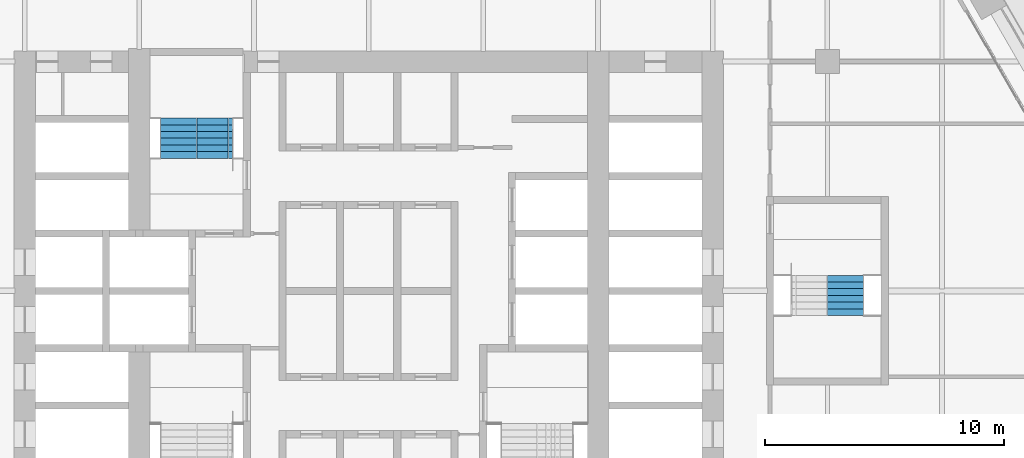
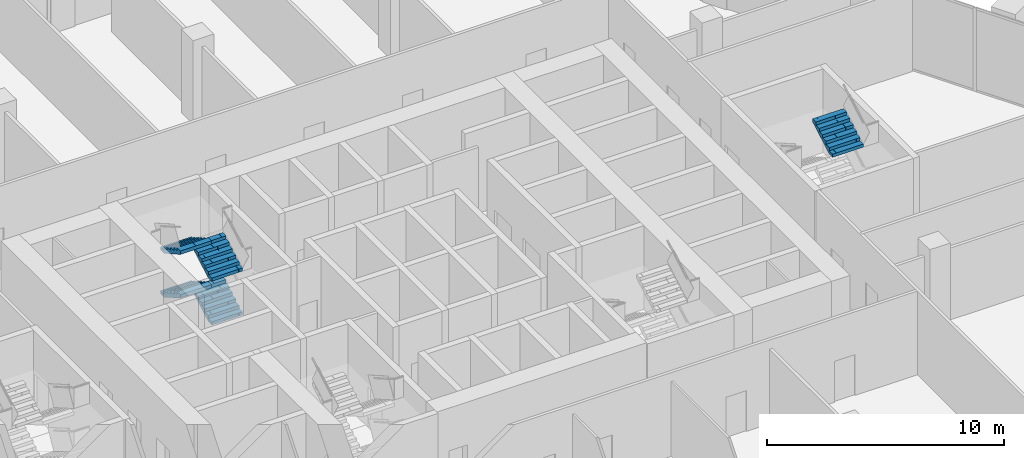
# One storey, part 20 of 22: 5 stair flights, 2 elements without a shape of their own.
"""IFC4 building model written with IfcOpenShell, lengths in metres."""

from ifc_helpers import new_model, si_unit, direction, frame, origin, place, context, subcontext, project, spatial, polyline, outline, extrude, material, type_object, element, aggregate, save


model = new_model("IFC4")

# Units and contexts
model_context = context("Model", 3, precision=1e-05, world=origin(), true_north=direction((0.0, 1.0)))
body_context = subcontext(model_context, "Body", "Model", "MODEL_VIEW")
ifc_project = project(units=[si_unit("LENGTHUNIT", "METRE"), si_unit("AREAUNIT", "SQUARE_METRE"), si_unit("VOLUMEUNIT", "CUBIC_METRE"), si_unit("PLANEANGLEUNIT", "RADIAN"), si_unit("MASSUNIT", "GRAM", prefix="KILO")], contexts=[model_context])

# Site, building, storey
site_placement = place(None, origin())
site = spatial("IfcSite", under=ifc_project, at=site_placement, CompositionType="ELEMENT")
building_placement = place(site_placement, origin())
building = spatial("IfcBuilding", under=site, at=building_placement, Name="Kolab Exchange Tower", CompositionType="ELEMENT")
storey_placement = place(building_placement, frame((0.0, 0.0, 113.89990234375)))
storey = spatial("IfcBuildingStorey", under=building, at=storey_placement, Name="L22", CompositionType="ELEMENT", Elevation=113.89990234375)

# Stair, stair flights
ifc_material = material(Name="Concrete C50/60", Category="concrete")
stair_type_1 = type_object("IfcStairType", Name="STAIR ST1 RISER 160.7", PredefinedType="DOUBLE_RETURN_STAIR", material=ifc_material)
stair_1_placement = place(storey_placement, origin())
stair_1 = element("IfcStair", 1, at=stair_1_placement, inside=storey, type_object=stair_type_1, Name="Stair 1", PredefinedType="DOUBLE_RETURN_STAIR")
stair_flight_type = type_object("IfcStairFlightType", Name="STAIR FLIGHT 1500 RISER 160.7", PredefinedType="STRAIGHT", material=ifc_material)
stair_flight_1_placement = place(storey_placement, frame((-6.43994140625, 5.550048828125, 0.0), z_axis=(0.0, 0.0, 1.0), x_axis=(0.0, 1.0, 0.0)))
stair_flight_1 = element("IfcStairFlight", 2, at=stair_flight_1_placement, type_object=stair_flight_type, Name="ST1 flight 1", NumberOfRisers=7, NumberOfTreads=6, PredefinedType="STRAIGHT", RiserHeight=0.160714286, TreadLength=0.28, context=body_context, shape_type="SweptSolid", body=[
    extrude(outline(polyline([(0.0, 0.0), (0.0, 0.16064453125), (0.280029296875, 0.16064453125), (0.280029296875, 0.321533203125), (0.56005859375, 0.321533203125), (0.56005859375, 0.482177734375), (0.840087890625, 0.482177734375), (0.840087890625, 0.642822265625), (1.1201171875, 0.642822265625), (1.1201171875, 0.803466796875), (1.39990234375, 0.803466796875), (1.39990234375, 0.96435546875), (1.679931640625, 0.96435546875), (1.679931640625, 1.125), (1.679931640625, 0.79150390625), (0.301025390625, 0.0), (0.0, 0.0)])), frame((0.0, 0.75, 0.0), z_axis=(0.0, -1.0, 0.0), x_axis=(1.0, 0.0, 0.0)), (0.0, 0.0, 1.0), 0.185791015625),
    extrude(outline(polyline([(0.0, 0.0), (0.0, 0.16064453125), (0.280029296875, 0.16064453125), (0.280029296875, 0.321533203125), (0.56005859375, 0.321533203125), (0.56005859375, 0.482177734375), (0.840087890625, 0.482177734375), (0.840087890625, 0.642822265625), (1.1201171875, 0.642822265625), (1.1201171875, 0.803466796875), (1.39990234375, 0.803466796875), (1.39990234375, 0.96435546875), (1.679931640625, 0.96435546875), (1.679931640625, 1.125), (1.679931640625, 0.79150390625), (0.301025390625, 0.0), (0.0, 0.0)])), frame((0.0, 0.562255859375, 0.0), z_axis=(0.0, -1.0, 0.0), x_axis=(1.0, 0.0, 0.0)), (0.0, 0.0, 1.0), 0.185791015625),
    extrude(outline(polyline([(0.0, 0.0), (0.0, 0.16064453125), (0.280029296875, 0.16064453125), (0.280029296875, 0.321533203125), (0.56005859375, 0.321533203125), (0.56005859375, 0.482177734375), (0.840087890625, 0.482177734375), (0.840087890625, 0.642822265625), (1.1201171875, 0.642822265625), (1.1201171875, 0.803466796875), (1.39990234375, 0.803466796875), (1.39990234375, 0.96435546875), (1.679931640625, 0.96435546875), (1.679931640625, 1.125), (1.679931640625, 0.79150390625), (0.301025390625, 0.0), (0.0, 0.0)])), frame((0.0, 0.37451171875, 0.0), z_axis=(0.0, -1.0, 0.0), x_axis=(1.0, 0.0, 0.0)), (0.0, 0.0, 1.0), 0.185791015625),
    extrude(outline(polyline([(0.0, 0.0), (0.0, 0.16064453125), (0.280029296875, 0.16064453125), (0.280029296875, 0.321533203125), (0.56005859375, 0.321533203125), (0.56005859375, 0.482177734375), (0.840087890625, 0.482177734375), (0.840087890625, 0.642822265625), (1.1201171875, 0.642822265625), (1.1201171875, 0.803466796875), (1.39990234375, 0.803466796875), (1.39990234375, 0.96435546875), (1.679931640625, 0.96435546875), (1.679931640625, 1.125), (1.679931640625, 0.79150390625), (0.301025390625, 0.0), (0.0, 0.0)])), frame((0.0, 0.186767578125, 0.0), z_axis=(0.0, -1.0, 0.0), x_axis=(1.0, 0.0, 0.0)), (0.0, 0.0, 1.0), 0.185791015625),
    extrude(outline(polyline([(0.0, 0.0), (0.0, 0.16064453125), (0.280029296875, 0.16064453125), (0.280029296875, 0.321533203125), (0.56005859375, 0.321533203125), (0.56005859375, 0.482177734375), (0.840087890625, 0.482177734375), (0.840087890625, 0.642822265625), (1.1201171875, 0.642822265625), (1.1201171875, 0.803466796875), (1.39990234375, 0.803466796875), (1.39990234375, 0.96435546875), (1.679931640625, 0.96435546875), (1.679931640625, 1.125), (1.679931640625, 0.79150390625), (0.301025390625, 0.0), (0.0, 0.0)])), frame((0.0, -0.0009765625, 0.0), z_axis=(0.0, -1.0, 0.0), x_axis=(1.0, 0.0, 0.0)), (0.0, 0.0, 1.0), 0.185791015625),
    extrude(outline(polyline([(0.0, 0.0), (0.0, 0.16064453125), (0.280029296875, 0.16064453125), (0.280029296875, 0.321533203125), (0.56005859375, 0.321533203125), (0.56005859375, 0.482177734375), (0.840087890625, 0.482177734375), (0.840087890625, 0.642822265625), (1.1201171875, 0.642822265625), (1.1201171875, 0.803466796875), (1.39990234375, 0.803466796875), (1.39990234375, 0.96435546875), (1.679931640625, 0.96435546875), (1.679931640625, 1.125), (1.679931640625, 0.79150390625), (0.301025390625, 0.0), (0.0, 0.0)])), frame((0.0, -0.188720703125, 0.0), z_axis=(0.0, -1.0, 0.0), x_axis=(1.0, 0.0, 0.0)), (0.0, 0.0, 1.0), 0.185791015625),
    extrude(outline(polyline([(0.0, 0.0), (0.0, 0.16064453125), (0.280029296875, 0.16064453125), (0.280029296875, 0.321533203125), (0.56005859375, 0.321533203125), (0.56005859375, 0.482177734375), (0.840087890625, 0.482177734375), (0.840087890625, 0.642822265625), (1.1201171875, 0.642822265625), (1.1201171875, 0.803466796875), (1.39990234375, 0.803466796875), (1.39990234375, 0.96435546875), (1.679931640625, 0.96435546875), (1.679931640625, 1.125), (1.679931640625, 0.79150390625), (0.301025390625, 0.0), (0.0, 0.0)])), frame((0.0, -0.37646484375, 0.0), z_axis=(0.0, -1.0, 0.0), x_axis=(1.0, 0.0, 0.0)), (0.0, 0.0, 1.0), 0.185791015625),
    extrude(outline(polyline([(0.0, 0.0), (0.0, 0.16064453125), (0.280029296875, 0.16064453125), (0.280029296875, 0.321533203125), (0.56005859375, 0.321533203125), (0.56005859375, 0.482177734375), (0.840087890625, 0.482177734375), (0.840087890625, 0.642822265625), (1.1201171875, 0.642822265625), (1.1201171875, 0.803466796875), (1.39990234375, 0.803466796875), (1.39990234375, 0.96435546875), (1.679931640625, 0.96435546875), (1.679931640625, 1.125), (1.679931640625, 0.79150390625), (0.301025390625, 0.0), (0.0, 0.0)])), frame((0.0, -0.564208984375, 0.0), z_axis=(0.0, -1.0, 0.0), x_axis=(1.0, 0.0, 0.0)), (0.0, 0.0, 1.0), 0.185791015625),
])
stair_flight_2_placement = place(storey_placement, frame((-7.9599609375, 7.22998046875, 1.125), z_axis=(0.0, 0.0, 1.0), x_axis=(0.0, -1.0, 0.0)))
stair_flight_2 = element("IfcStairFlight", 3, at=stair_flight_2_placement, type_object=stair_flight_type, Name="ST1 flight 2", NumberOfRisers=7, NumberOfTreads=6, PredefinedType="STRAIGHT", RiserHeight=0.160714286, TreadLength=0.28, context=body_context, shape_type="SweptSolid", body=[
    extrude(outline(polyline([(0.0, 0.0), (0.0, 0.16064453125), (0.280029296875, 0.16064453125), (0.280029296875, 0.321533203125), (0.56005859375, 0.321533203125), (0.56005859375, 0.482177734375), (0.840087890625, 0.482177734375), (0.840087890625, 0.642822265625), (1.1201171875, 0.642822265625), (1.1201171875, 0.803466796875), (1.39990234375, 0.803466796875), (1.39990234375, 0.96435546875), (1.679931640625, 0.96435546875), (1.679931640625, 1.125), (1.679931640625, 0.79150390625), (0.301025390625, 0.0), (0.0, 0.0)])), frame((0.0, 0.75, 0.0), z_axis=(0.0, -1.0, 0.0), x_axis=(1.0, 0.0, 0.0)), (0.0, 0.0, 1.0), 0.185791015625),
    extrude(outline(polyline([(0.0, 0.0), (0.0, 0.16064453125), (0.280029296875, 0.16064453125), (0.280029296875, 0.321533203125), (0.56005859375, 0.321533203125), (0.56005859375, 0.482177734375), (0.840087890625, 0.482177734375), (0.840087890625, 0.642822265625), (1.1201171875, 0.642822265625), (1.1201171875, 0.803466796875), (1.39990234375, 0.803466796875), (1.39990234375, 0.96435546875), (1.679931640625, 0.96435546875), (1.679931640625, 1.125), (1.679931640625, 0.79150390625), (0.301025390625, 0.0), (0.0, 0.0)])), frame((0.0, 0.562255859375, 0.0), z_axis=(0.0, -1.0, 0.0), x_axis=(1.0, 0.0, 0.0)), (0.0, 0.0, 1.0), 0.185791015625),
    extrude(outline(polyline([(0.0, 0.0), (0.0, 0.16064453125), (0.280029296875, 0.16064453125), (0.280029296875, 0.321533203125), (0.56005859375, 0.321533203125), (0.56005859375, 0.482177734375), (0.840087890625, 0.482177734375), (0.840087890625, 0.642822265625), (1.1201171875, 0.642822265625), (1.1201171875, 0.803466796875), (1.39990234375, 0.803466796875), (1.39990234375, 0.96435546875), (1.679931640625, 0.96435546875), (1.679931640625, 1.125), (1.679931640625, 0.79150390625), (0.301025390625, 0.0), (0.0, 0.0)])), frame((0.0, 0.37451171875, 0.0), z_axis=(0.0, -1.0, 0.0), x_axis=(1.0, 0.0, 0.0)), (0.0, 0.0, 1.0), 0.185791015625),
    extrude(outline(polyline([(0.0, 0.0), (0.0, 0.16064453125), (0.280029296875, 0.16064453125), (0.280029296875, 0.321533203125), (0.56005859375, 0.321533203125), (0.56005859375, 0.482177734375), (0.840087890625, 0.482177734375), (0.840087890625, 0.642822265625), (1.1201171875, 0.642822265625), (1.1201171875, 0.803466796875), (1.39990234375, 0.803466796875), (1.39990234375, 0.96435546875), (1.679931640625, 0.96435546875), (1.679931640625, 1.125), (1.679931640625, 0.79150390625), (0.301025390625, 0.0), (0.0, 0.0)])), frame((0.0, 0.186767578125, 0.0), z_axis=(0.0, -1.0, 0.0), x_axis=(1.0, 0.0, 0.0)), (0.0, 0.0, 1.0), 0.185791015625),
    extrude(outline(polyline([(0.0, 0.0), (0.0, 0.16064453125), (0.280029296875, 0.16064453125), (0.280029296875, 0.321533203125), (0.56005859375, 0.321533203125), (0.56005859375, 0.482177734375), (0.840087890625, 0.482177734375), (0.840087890625, 0.642822265625), (1.1201171875, 0.642822265625), (1.1201171875, 0.803466796875), (1.39990234375, 0.803466796875), (1.39990234375, 0.96435546875), (1.679931640625, 0.96435546875), (1.679931640625, 1.125), (1.679931640625, 0.79150390625), (0.301025390625, 0.0), (0.0, 0.0)])), frame((0.0, -0.0009765625, 0.0), z_axis=(0.0, -1.0, 0.0), x_axis=(1.0, 0.0, 0.0)), (0.0, 0.0, 1.0), 0.185791015625),
    extrude(outline(polyline([(0.0, 0.0), (0.0, 0.16064453125), (0.280029296875, 0.16064453125), (0.280029296875, 0.321533203125), (0.56005859375, 0.321533203125), (0.56005859375, 0.482177734375), (0.840087890625, 0.482177734375), (0.840087890625, 0.642822265625), (1.1201171875, 0.642822265625), (1.1201171875, 0.803466796875), (1.39990234375, 0.803466796875), (1.39990234375, 0.96435546875), (1.679931640625, 0.96435546875), (1.679931640625, 1.125), (1.679931640625, 0.79150390625), (0.301025390625, 0.0), (0.0, 0.0)])), frame((0.0, -0.188720703125, 0.0), z_axis=(0.0, -1.0, 0.0), x_axis=(1.0, 0.0, 0.0)), (0.0, 0.0, 1.0), 0.185791015625),
    extrude(outline(polyline([(0.0, 0.0), (0.0, 0.16064453125), (0.280029296875, 0.16064453125), (0.280029296875, 0.321533203125), (0.56005859375, 0.321533203125), (0.56005859375, 0.482177734375), (0.840087890625, 0.482177734375), (0.840087890625, 0.642822265625), (1.1201171875, 0.642822265625), (1.1201171875, 0.803466796875), (1.39990234375, 0.803466796875), (1.39990234375, 0.96435546875), (1.679931640625, 0.96435546875), (1.679931640625, 1.125), (1.679931640625, 0.79150390625), (0.301025390625, 0.0), (0.0, 0.0)])), frame((0.0, -0.37646484375, 0.0), z_axis=(0.0, -1.0, 0.0), x_axis=(1.0, 0.0, 0.0)), (0.0, 0.0, 1.0), 0.185791015625),
    extrude(outline(polyline([(0.0, 0.0), (0.0, 0.16064453125), (0.280029296875, 0.16064453125), (0.280029296875, 0.321533203125), (0.56005859375, 0.321533203125), (0.56005859375, 0.482177734375), (0.840087890625, 0.482177734375), (0.840087890625, 0.642822265625), (1.1201171875, 0.642822265625), (1.1201171875, 0.803466796875), (1.39990234375, 0.803466796875), (1.39990234375, 0.96435546875), (1.679931640625, 0.96435546875), (1.679931640625, 1.125), (1.679931640625, 0.79150390625), (0.301025390625, 0.0), (0.0, 0.0)])), frame((0.0, -0.564208984375, 0.0), z_axis=(0.0, -1.0, 0.0), x_axis=(1.0, 0.0, 0.0)), (0.0, 0.0, 1.0), 0.185791015625),
])
stair_flight_3_placement = place(storey_placement, frame((-6.43994140625, 5.550048828125, 2.25), z_axis=(0.0, 0.0, 1.0), x_axis=(0.0, 1.0, 0.0)))
stair_flight_3 = element("IfcStairFlight", 4, at=stair_flight_3_placement, type_object=stair_flight_type, Name="ST1 flight 3", NumberOfRisers=7, NumberOfTreads=6, PredefinedType="STRAIGHT", RiserHeight=0.160714286, TreadLength=0.28, context=body_context, shape_type="SweptSolid", body=[
    extrude(outline(polyline([(0.0, 0.0), (0.0, 0.16064453125), (0.280029296875, 0.16064453125), (0.280029296875, 0.321533203125), (0.56005859375, 0.321533203125), (0.56005859375, 0.482177734375), (0.840087890625, 0.482177734375), (0.840087890625, 0.642822265625), (1.1201171875, 0.642822265625), (1.1201171875, 0.803466796875), (1.39990234375, 0.803466796875), (1.39990234375, 0.96435546875), (1.679931640625, 0.96435546875), (1.679931640625, 1.125), (1.679931640625, 0.79150390625), (0.301025390625, 0.0), (0.0, 0.0)])), frame((0.0, 0.75, 0.0), z_axis=(0.0, -1.0, 0.0), x_axis=(1.0, 0.0, 0.0)), (0.0, 0.0, 1.0), 0.185791015625),
    extrude(outline(polyline([(0.0, 0.0), (0.0, 0.16064453125), (0.280029296875, 0.16064453125), (0.280029296875, 0.321533203125), (0.56005859375, 0.321533203125), (0.56005859375, 0.482177734375), (0.840087890625, 0.482177734375), (0.840087890625, 0.642822265625), (1.1201171875, 0.642822265625), (1.1201171875, 0.803466796875), (1.39990234375, 0.803466796875), (1.39990234375, 0.96435546875), (1.679931640625, 0.96435546875), (1.679931640625, 1.125), (1.679931640625, 0.79150390625), (0.301025390625, 0.0), (0.0, 0.0)])), frame((0.0, 0.562255859375, 0.0), z_axis=(0.0, -1.0, 0.0), x_axis=(1.0, 0.0, 0.0)), (0.0, 0.0, 1.0), 0.185791015625),
    extrude(outline(polyline([(0.0, 0.0), (0.0, 0.16064453125), (0.280029296875, 0.16064453125), (0.280029296875, 0.321533203125), (0.56005859375, 0.321533203125), (0.56005859375, 0.482177734375), (0.840087890625, 0.482177734375), (0.840087890625, 0.642822265625), (1.1201171875, 0.642822265625), (1.1201171875, 0.803466796875), (1.39990234375, 0.803466796875), (1.39990234375, 0.96435546875), (1.679931640625, 0.96435546875), (1.679931640625, 1.125), (1.679931640625, 0.79150390625), (0.301025390625, 0.0), (0.0, 0.0)])), frame((0.0, 0.37451171875, 0.0), z_axis=(0.0, -1.0, 0.0), x_axis=(1.0, 0.0, 0.0)), (0.0, 0.0, 1.0), 0.185791015625),
    extrude(outline(polyline([(0.0, 0.0), (0.0, 0.16064453125), (0.280029296875, 0.16064453125), (0.280029296875, 0.321533203125), (0.56005859375, 0.321533203125), (0.56005859375, 0.482177734375), (0.840087890625, 0.482177734375), (0.840087890625, 0.642822265625), (1.1201171875, 0.642822265625), (1.1201171875, 0.803466796875), (1.39990234375, 0.803466796875), (1.39990234375, 0.96435546875), (1.679931640625, 0.96435546875), (1.679931640625, 1.125), (1.679931640625, 0.79150390625), (0.301025390625, 0.0), (0.0, 0.0)])), frame((0.0, 0.186767578125, 0.0), z_axis=(0.0, -1.0, 0.0), x_axis=(1.0, 0.0, 0.0)), (0.0, 0.0, 1.0), 0.185791015625),
    extrude(outline(polyline([(0.0, 0.0), (0.0, 0.16064453125), (0.280029296875, 0.16064453125), (0.280029296875, 0.321533203125), (0.56005859375, 0.321533203125), (0.56005859375, 0.482177734375), (0.840087890625, 0.482177734375), (0.840087890625, 0.642822265625), (1.1201171875, 0.642822265625), (1.1201171875, 0.803466796875), (1.39990234375, 0.803466796875), (1.39990234375, 0.96435546875), (1.679931640625, 0.96435546875), (1.679931640625, 1.125), (1.679931640625, 0.79150390625), (0.301025390625, 0.0), (0.0, 0.0)])), frame((0.0, -0.0009765625, 0.0), z_axis=(0.0, -1.0, 0.0), x_axis=(1.0, 0.0, 0.0)), (0.0, 0.0, 1.0), 0.185791015625),
    extrude(outline(polyline([(0.0, 0.0), (0.0, 0.16064453125), (0.280029296875, 0.16064453125), (0.280029296875, 0.321533203125), (0.56005859375, 0.321533203125), (0.56005859375, 0.482177734375), (0.840087890625, 0.482177734375), (0.840087890625, 0.642822265625), (1.1201171875, 0.642822265625), (1.1201171875, 0.803466796875), (1.39990234375, 0.803466796875), (1.39990234375, 0.96435546875), (1.679931640625, 0.96435546875), (1.679931640625, 1.125), (1.679931640625, 0.79150390625), (0.301025390625, 0.0), (0.0, 0.0)])), frame((0.0, -0.188720703125, 0.0), z_axis=(0.0, -1.0, 0.0), x_axis=(1.0, 0.0, 0.0)), (0.0, 0.0, 1.0), 0.185791015625),
    extrude(outline(polyline([(0.0, 0.0), (0.0, 0.16064453125), (0.280029296875, 0.16064453125), (0.280029296875, 0.321533203125), (0.56005859375, 0.321533203125), (0.56005859375, 0.482177734375), (0.840087890625, 0.482177734375), (0.840087890625, 0.642822265625), (1.1201171875, 0.642822265625), (1.1201171875, 0.803466796875), (1.39990234375, 0.803466796875), (1.39990234375, 0.96435546875), (1.679931640625, 0.96435546875), (1.679931640625, 1.125), (1.679931640625, 0.79150390625), (0.301025390625, 0.0), (0.0, 0.0)])), frame((0.0, -0.37646484375, 0.0), z_axis=(0.0, -1.0, 0.0), x_axis=(1.0, 0.0, 0.0)), (0.0, 0.0, 1.0), 0.185791015625),
    extrude(outline(polyline([(0.0, 0.0), (0.0, 0.16064453125), (0.280029296875, 0.16064453125), (0.280029296875, 0.321533203125), (0.56005859375, 0.321533203125), (0.56005859375, 0.482177734375), (0.840087890625, 0.482177734375), (0.840087890625, 0.642822265625), (1.1201171875, 0.642822265625), (1.1201171875, 0.803466796875), (1.39990234375, 0.803466796875), (1.39990234375, 0.96435546875), (1.679931640625, 0.96435546875), (1.679931640625, 1.125), (1.679931640625, 0.79150390625), (0.301025390625, 0.0), (0.0, 0.0)])), frame((0.0, -0.564208984375, 0.0), z_axis=(0.0, -1.0, 0.0), x_axis=(1.0, 0.0, 0.0)), (0.0, 0.0, 1.0), 0.185791015625),
])
stair_flight_4_placement = place(storey_placement, frame((-7.9599609375, 7.22998046875, 3.375), z_axis=(0.0, 0.0, 1.0), x_axis=(0.0, -1.0, 0.0)))
stair_flight_4 = element("IfcStairFlight", 5, at=stair_flight_4_placement, type_object=stair_flight_type, Name="ST1 flight 4", NumberOfRisers=7, NumberOfTreads=6, PredefinedType="STRAIGHT", RiserHeight=0.160714286, TreadLength=0.28, context=body_context, shape_type="SweptSolid", body=[
    extrude(outline(polyline([(0.0, 0.0), (0.0, 0.16064453125), (0.280029296875, 0.16064453125), (0.280029296875, 0.321533203125), (0.56005859375, 0.321533203125), (0.56005859375, 0.482177734375), (0.840087890625, 0.482177734375), (0.840087890625, 0.642822265625), (1.1201171875, 0.642822265625), (1.1201171875, 0.803466796875), (1.39990234375, 0.803466796875), (1.39990234375, 0.96435546875), (1.679931640625, 0.96435546875), (1.679931640625, 1.125), (1.679931640625, 0.79150390625), (0.301025390625, 0.0), (0.0, 0.0)])), frame((0.0, 0.75, 0.0), z_axis=(0.0, -1.0, 0.0), x_axis=(1.0, 0.0, 0.0)), (0.0, 0.0, 1.0), 0.185791015625),
    extrude(outline(polyline([(0.0, 0.0), (0.0, 0.16064453125), (0.280029296875, 0.16064453125), (0.280029296875, 0.321533203125), (0.56005859375, 0.321533203125), (0.56005859375, 0.482177734375), (0.840087890625, 0.482177734375), (0.840087890625, 0.642822265625), (1.1201171875, 0.642822265625), (1.1201171875, 0.803466796875), (1.39990234375, 0.803466796875), (1.39990234375, 0.96435546875), (1.679931640625, 0.96435546875), (1.679931640625, 1.125), (1.679931640625, 0.79150390625), (0.301025390625, 0.0), (0.0, 0.0)])), frame((0.0, 0.562255859375, 0.0), z_axis=(0.0, -1.0, 0.0), x_axis=(1.0, 0.0, 0.0)), (0.0, 0.0, 1.0), 0.185791015625),
    extrude(outline(polyline([(0.0, 0.0), (0.0, 0.16064453125), (0.280029296875, 0.16064453125), (0.280029296875, 0.321533203125), (0.56005859375, 0.321533203125), (0.56005859375, 0.482177734375), (0.840087890625, 0.482177734375), (0.840087890625, 0.642822265625), (1.1201171875, 0.642822265625), (1.1201171875, 0.803466796875), (1.39990234375, 0.803466796875), (1.39990234375, 0.96435546875), (1.679931640625, 0.96435546875), (1.679931640625, 1.125), (1.679931640625, 0.79150390625), (0.301025390625, 0.0), (0.0, 0.0)])), frame((0.0, 0.37451171875, 0.0), z_axis=(0.0, -1.0, 0.0), x_axis=(1.0, 0.0, 0.0)), (0.0, 0.0, 1.0), 0.185791015625),
    extrude(outline(polyline([(0.0, 0.0), (0.0, 0.16064453125), (0.280029296875, 0.16064453125), (0.280029296875, 0.321533203125), (0.56005859375, 0.321533203125), (0.56005859375, 0.482177734375), (0.840087890625, 0.482177734375), (0.840087890625, 0.642822265625), (1.1201171875, 0.642822265625), (1.1201171875, 0.803466796875), (1.39990234375, 0.803466796875), (1.39990234375, 0.96435546875), (1.679931640625, 0.96435546875), (1.679931640625, 1.125), (1.679931640625, 0.79150390625), (0.301025390625, 0.0), (0.0, 0.0)])), frame((0.0, 0.186767578125, 0.0), z_axis=(0.0, -1.0, 0.0), x_axis=(1.0, 0.0, 0.0)), (0.0, 0.0, 1.0), 0.185791015625),
    extrude(outline(polyline([(0.0, 0.0), (0.0, 0.16064453125), (0.280029296875, 0.16064453125), (0.280029296875, 0.321533203125), (0.56005859375, 0.321533203125), (0.56005859375, 0.482177734375), (0.840087890625, 0.482177734375), (0.840087890625, 0.642822265625), (1.1201171875, 0.642822265625), (1.1201171875, 0.803466796875), (1.39990234375, 0.803466796875), (1.39990234375, 0.96435546875), (1.679931640625, 0.96435546875), (1.679931640625, 1.125), (1.679931640625, 0.79150390625), (0.301025390625, 0.0), (0.0, 0.0)])), frame((0.0, -0.0009765625, 0.0), z_axis=(0.0, -1.0, 0.0), x_axis=(1.0, 0.0, 0.0)), (0.0, 0.0, 1.0), 0.185791015625),
    extrude(outline(polyline([(0.0, 0.0), (0.0, 0.16064453125), (0.280029296875, 0.16064453125), (0.280029296875, 0.321533203125), (0.56005859375, 0.321533203125), (0.56005859375, 0.482177734375), (0.840087890625, 0.482177734375), (0.840087890625, 0.642822265625), (1.1201171875, 0.642822265625), (1.1201171875, 0.803466796875), (1.39990234375, 0.803466796875), (1.39990234375, 0.96435546875), (1.679931640625, 0.96435546875), (1.679931640625, 1.125), (1.679931640625, 0.79150390625), (0.301025390625, 0.0), (0.0, 0.0)])), frame((0.0, -0.188720703125, 0.0), z_axis=(0.0, -1.0, 0.0), x_axis=(1.0, 0.0, 0.0)), (0.0, 0.0, 1.0), 0.185791015625),
    extrude(outline(polyline([(0.0, 0.0), (0.0, 0.16064453125), (0.280029296875, 0.16064453125), (0.280029296875, 0.321533203125), (0.56005859375, 0.321533203125), (0.56005859375, 0.482177734375), (0.840087890625, 0.482177734375), (0.840087890625, 0.642822265625), (1.1201171875, 0.642822265625), (1.1201171875, 0.803466796875), (1.39990234375, 0.803466796875), (1.39990234375, 0.96435546875), (1.679931640625, 0.96435546875), (1.679931640625, 1.125), (1.679931640625, 0.79150390625), (0.301025390625, 0.0), (0.0, 0.0)])), frame((0.0, -0.37646484375, 0.0), z_axis=(0.0, -1.0, 0.0), x_axis=(1.0, 0.0, 0.0)), (0.0, 0.0, 1.0), 0.185791015625),
    extrude(outline(polyline([(0.0, 0.0), (0.0, 0.16064453125), (0.280029296875, 0.16064453125), (0.280029296875, 0.321533203125), (0.56005859375, 0.321533203125), (0.56005859375, 0.482177734375), (0.840087890625, 0.482177734375), (0.840087890625, 0.642822265625), (1.1201171875, 0.642822265625), (1.1201171875, 0.803466796875), (1.39990234375, 0.803466796875), (1.39990234375, 0.96435546875), (1.679931640625, 0.96435546875), (1.679931640625, 1.125), (1.679931640625, 0.79150390625), (0.301025390625, 0.0), (0.0, 0.0)])), frame((0.0, -0.564208984375, 0.0), z_axis=(0.0, -1.0, 0.0), x_axis=(1.0, 0.0, 0.0)), (0.0, 0.0, 1.0), 0.185791015625),
])
aggregate(stair_1, [stair_flight_1, stair_flight_2, stair_flight_3, stair_flight_4])

# Stair, stair flight
stair_type_2 = type_object("IfcStairType", Name="STAIR ST4 RISER 160.7", PredefinedType="DOUBLE_RETURN_STAIR", material=ifc_material)
stair_2_placement = place(storey_placement, origin())
stair_2 = element("IfcStair", 6, at=stair_2_placement, inside=storey, type_object=stair_type_2, Name="Stair 4", PredefinedType="DOUBLE_RETURN_STAIR")
stair_flight_5_placement = place(storey_placement, frame((19.9599609375, -1.030029296875, 3.375), z_axis=(0.0, 0.0, 1.0), x_axis=(0.0, 1.0, 0.0)))
stair_flight_5 = element("IfcStairFlight", 7, at=stair_flight_5_placement, type_object=stair_flight_type, Name="ST4 flight 4", NumberOfRisers=7, NumberOfTreads=6, PredefinedType="STRAIGHT", RiserHeight=0.160714286, TreadLength=0.28, context=body_context, shape_type="SweptSolid", body=[
    extrude(outline(polyline([(0.0, 0.0), (0.0, 0.16064453125), (0.280029296875, 0.16064453125), (0.280029296875, 0.321533203125), (0.56005859375, 0.321533203125), (0.56005859375, 0.482177734375), (0.840087890625, 0.482177734375), (0.840087890625, 0.642822265625), (1.1201171875, 0.642822265625), (1.1201171875, 0.803466796875), (1.39990234375, 0.803466796875), (1.39990234375, 0.96435546875), (1.679931640625, 0.96435546875), (1.679931640625, 1.125), (1.679931640625, 0.79150390625), (0.301025390625, 0.0), (0.0, 0.0)])), frame((0.0, 0.75, 0.0), z_axis=(0.0, -1.0, 0.0), x_axis=(1.0, 0.0, 0.0)), (0.0, 0.0, 1.0), 0.185791015625),
    extrude(outline(polyline([(0.0, 0.0), (0.0, 0.16064453125), (0.280029296875, 0.16064453125), (0.280029296875, 0.321533203125), (0.56005859375, 0.321533203125), (0.56005859375, 0.482177734375), (0.840087890625, 0.482177734375), (0.840087890625, 0.642822265625), (1.1201171875, 0.642822265625), (1.1201171875, 0.803466796875), (1.39990234375, 0.803466796875), (1.39990234375, 0.96435546875), (1.679931640625, 0.96435546875), (1.679931640625, 1.125), (1.679931640625, 0.79150390625), (0.301025390625, 0.0), (0.0, 0.0)])), frame((0.0, 0.562255859375, 0.0), z_axis=(0.0, -1.0, 0.0), x_axis=(1.0, 0.0, 0.0)), (0.0, 0.0, 1.0), 0.185791015625),
    extrude(outline(polyline([(0.0, 0.0), (0.0, 0.16064453125), (0.280029296875, 0.16064453125), (0.280029296875, 0.321533203125), (0.56005859375, 0.321533203125), (0.56005859375, 0.482177734375), (0.840087890625, 0.482177734375), (0.840087890625, 0.642822265625), (1.1201171875, 0.642822265625), (1.1201171875, 0.803466796875), (1.39990234375, 0.803466796875), (1.39990234375, 0.96435546875), (1.679931640625, 0.96435546875), (1.679931640625, 1.125), (1.679931640625, 0.79150390625), (0.301025390625, 0.0), (0.0, 0.0)])), frame((0.0, 0.37451171875, 0.0), z_axis=(0.0, -1.0, 0.0), x_axis=(1.0, 0.0, 0.0)), (0.0, 0.0, 1.0), 0.185791015625),
    extrude(outline(polyline([(0.0, 0.0), (0.0, 0.16064453125), (0.280029296875, 0.16064453125), (0.280029296875, 0.321533203125), (0.56005859375, 0.321533203125), (0.56005859375, 0.482177734375), (0.840087890625, 0.482177734375), (0.840087890625, 0.642822265625), (1.1201171875, 0.642822265625), (1.1201171875, 0.803466796875), (1.39990234375, 0.803466796875), (1.39990234375, 0.96435546875), (1.679931640625, 0.96435546875), (1.679931640625, 1.125), (1.679931640625, 0.79150390625), (0.301025390625, 0.0), (0.0, 0.0)])), frame((0.0, 0.186767578125, 0.0), z_axis=(0.0, -1.0, 0.0), x_axis=(1.0, 0.0, 0.0)), (0.0, 0.0, 1.0), 0.185791015625),
    extrude(outline(polyline([(0.0, 0.0), (0.0, 0.16064453125), (0.280029296875, 0.16064453125), (0.280029296875, 0.321533203125), (0.56005859375, 0.321533203125), (0.56005859375, 0.482177734375), (0.840087890625, 0.482177734375), (0.840087890625, 0.642822265625), (1.1201171875, 0.642822265625), (1.1201171875, 0.803466796875), (1.39990234375, 0.803466796875), (1.39990234375, 0.96435546875), (1.679931640625, 0.96435546875), (1.679931640625, 1.125), (1.679931640625, 0.79150390625), (0.301025390625, 0.0), (0.0, 0.0)])), frame((0.0, -0.0009765625, 0.0), z_axis=(0.0, -1.0, 0.0), x_axis=(1.0, 0.0, 0.0)), (0.0, 0.0, 1.0), 0.185791015625),
    extrude(outline(polyline([(0.0, 0.0), (0.0, 0.16064453125), (0.280029296875, 0.16064453125), (0.280029296875, 0.321533203125), (0.56005859375, 0.321533203125), (0.56005859375, 0.482177734375), (0.840087890625, 0.482177734375), (0.840087890625, 0.642822265625), (1.1201171875, 0.642822265625), (1.1201171875, 0.803466796875), (1.39990234375, 0.803466796875), (1.39990234375, 0.96435546875), (1.679931640625, 0.96435546875), (1.679931640625, 1.125), (1.679931640625, 0.79150390625), (0.301025390625, 0.0), (0.0, 0.0)])), frame((0.0, -0.188720703125, 0.0), z_axis=(0.0, -1.0, 0.0), x_axis=(1.0, 0.0, 0.0)), (0.0, 0.0, 1.0), 0.185791015625),
    extrude(outline(polyline([(0.0, 0.0), (0.0, 0.16064453125), (0.280029296875, 0.16064453125), (0.280029296875, 0.321533203125), (0.56005859375, 0.321533203125), (0.56005859375, 0.482177734375), (0.840087890625, 0.482177734375), (0.840087890625, 0.642822265625), (1.1201171875, 0.642822265625), (1.1201171875, 0.803466796875), (1.39990234375, 0.803466796875), (1.39990234375, 0.96435546875), (1.679931640625, 0.96435546875), (1.679931640625, 1.125), (1.679931640625, 0.79150390625), (0.301025390625, 0.0), (0.0, 0.0)])), frame((0.0, -0.37646484375, 0.0), z_axis=(0.0, -1.0, 0.0), x_axis=(1.0, 0.0, 0.0)), (0.0, 0.0, 1.0), 0.185791015625),
    extrude(outline(polyline([(0.0, 0.0), (0.0, 0.16064453125), (0.280029296875, 0.16064453125), (0.280029296875, 0.321533203125), (0.56005859375, 0.321533203125), (0.56005859375, 0.482177734375), (0.840087890625, 0.482177734375), (0.840087890625, 0.642822265625), (1.1201171875, 0.642822265625), (1.1201171875, 0.803466796875), (1.39990234375, 0.803466796875), (1.39990234375, 0.96435546875), (1.679931640625, 0.96435546875), (1.679931640625, 1.125), (1.679931640625, 0.79150390625), (0.301025390625, 0.0), (0.0, 0.0)])), frame((0.0, -0.564208984375, 0.0), z_axis=(0.0, -1.0, 0.0), x_axis=(1.0, 0.0, 0.0)), (0.0, 0.0, 1.0), 0.185791015625),
])
aggregate(stair_2, [stair_flight_5])

save(model, "model.ifc")
